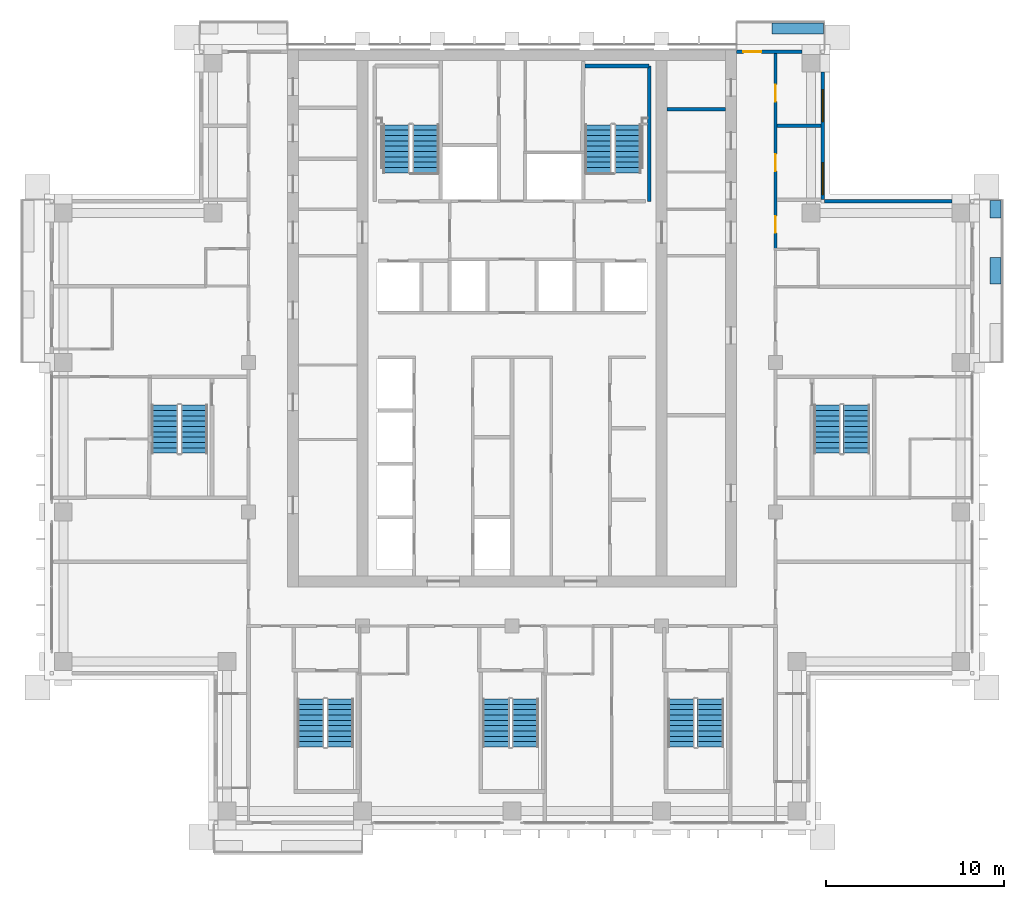
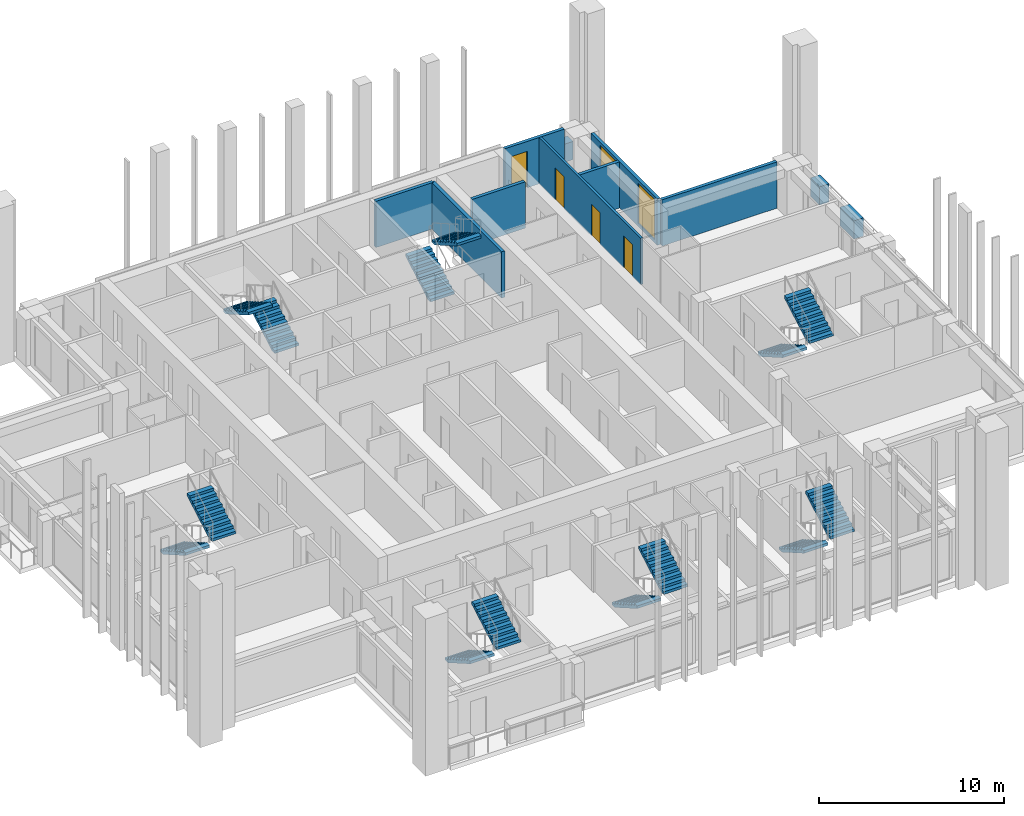
# One storey, part 13 of 17: 14 stair flights, 11 walls, 4 doors, 2 windows, 6 openings, 7 elements without a shape of their own.
"""IFC4 building model written with IfcOpenShell, lengths in metres."""

from ifc_helpers import new_model, si_unit, direction, frame, frame_2d, origin, place, context, subcontext, project, spatial, polyline, rectangle, outline, extrude, material, layer, layer_set, type_object, element, fill, aggregate, save


model = new_model("IFC4")

# Units and contexts
model_context = context("Model", 3, precision=1e-05, world=origin(), true_north=direction((0.0, 1.0)))
body_context = subcontext(model_context, "Body", "Model", "MODEL_VIEW")
ifc_project = project(units=[si_unit("LENGTHUNIT", "METRE"), si_unit("AREAUNIT", "SQUARE_METRE"), si_unit("VOLUMEUNIT", "CUBIC_METRE"), si_unit("PLANEANGLEUNIT", "RADIAN"), si_unit("MASSUNIT", "GRAM", prefix="KILO")], contexts=[model_context])

# Site, building, storey
site_placement = place(None, origin())
site = spatial("IfcSite", under=ifc_project, at=site_placement, CompositionType="ELEMENT")
building_placement = place(site_placement, origin())
building = spatial("IfcBuilding", under=site, at=building_placement, Name="Vermilion Ogive Tower", CompositionType="ELEMENT")
storey_placement = place(building_placement, frame((0.0, 0.0, 175.550048828125)))
storey = spatial("IfcBuildingStorey", under=building, at=storey_placement, Name="L45", CompositionType="ELEMENT", Elevation=175.550048828125)

# Wall, openings, doors
ifc_material_1 = material(Name="Gypsum board partition on steel studs", Category="steel")
ifc_layer_1 = layer(ifc_material_1, 0.14990234375)
ifc_layer_set_1 = layer_set([ifc_layer_1], Name="Partition 150 corridor")
wall_type_1 = type_object("IfcWallType", Name="Partition 150 corridor", PredefinedType="PARTITIONING", material=ifc_layer_set_1)
wall_1_placement = place(storey_placement, frame((14.800048828125, 10.60009765625, 0.0), z_axis=(0.0, 0.0, 1.0), x_axis=(0.0, 1.0, 0.0)))
wall_1 = element("IfcWall", 1, at=wall_1_placement, inside=storey, type_object=wall_type_1, Name="L45-W-W074", PredefinedType="PARTITIONING", context=body_context, shape_type="SweptSolid", body=[
    extrude(rectangle(XDim=10.949951171875, YDim=0.14990234375, at=frame_2d((5.47509765625, 0.0))), origin(), (0.0, 0.0, 1.0), 3.050048828125),
])
opening_1_placement = place(wall_1_placement, frame((0.875, 0.0, 0.0)))
opening_1 = element("IfcOpeningElement", 2, at=opening_1_placement, cuts=wall_1, Name="Opening D4G1023", PredefinedType="OPENING", context=body_context, shape_type="SweptSolid", body=[
    extrude(rectangle(XDim=0.949951171875, YDim=2.10009765625, at=frame_2d((0.47509765625, 1.050048828125))), frame((0.0, 0.0849609375, 0.0), z_axis=(0.0, -1.0, 0.0), x_axis=(1.0, 0.0, 0.0)), (0.0, 0.0, 1.0), 0.169921875),
])
opening_2_placement = place(wall_1_placement, frame((4.349853515625, 0.0, 0.0)))
opening_2 = element("IfcOpeningElement", 3, at=opening_2_placement, cuts=wall_1, Name="Opening D4G1025", PredefinedType="OPENING", context=body_context, shape_type="SweptSolid", body=[
    extrude(rectangle(XDim=0.949951171875, YDim=2.10009765625, at=frame_2d((0.47509765625, 1.050048828125))), frame((0.0, 0.0849609375, 0.0), z_axis=(0.0, -1.0, 0.0), x_axis=(1.0, 0.0, 0.0)), (0.0, 0.0, 1.0), 0.169921875),
])
opening_3_placement = place(wall_1_placement, frame((8.25, 0.0, 0.0)))
opening_3 = element("IfcOpeningElement", 4, at=opening_3_placement, cuts=wall_1, Name="Opening D4G1026", PredefinedType="OPENING", context=body_context, shape_type="SweptSolid", body=[
    extrude(rectangle(XDim=0.949951171875, YDim=2.10009765625, at=frame_2d((0.47509765625, 1.050048828125))), frame((0.0, 0.0849609375, 0.0), z_axis=(0.0, -1.0, 0.0), x_axis=(1.0, 0.0, 0.0)), (0.0, 0.0, 1.0), 0.169921875),
])
ifc_material_2 = material(Name="Timber door leaf", Category="wood")
door_type_1 = type_object("IfcDoorType", Name="Unit door 950 x 2100 FD30S", OperationType="SINGLE_SWING_LEFT", PredefinedType="DOOR", material=ifc_material_2)
door_1_placement = place(opening_1_placement, origin())
door_1 = element("IfcDoor", 5, at=door_1_placement, inside=storey, type_object=door_type_1, Name="L45-D-D023", OperationType="SINGLE_SWING_RIGHT", OverallHeight=2.10009765625, OverallWidth=0.949951171875, PredefinedType="DOOR", context=body_context, shape_type="SweptSolid", body=[
    extrude(rectangle(XDim=0.949951171875, YDim=2.10009765625, at=frame_2d((0.47509765625, 1.050048828125))), frame((0.0, 0.02490234375, 0.0), z_axis=(0.0, -1.0, 0.0), x_axis=(1.0, 0.0, 0.0)), (0.0, 0.0, 1.0), 0.050048828125),
])
fill(opening_1, door_1)
door_2_placement = place(opening_2_placement, origin())
door_2 = element("IfcDoor", 6, at=door_2_placement, inside=storey, type_object=door_type_1, Name="L45-D-D025", OperationType="SINGLE_SWING_RIGHT", OverallHeight=2.10009765625, OverallWidth=0.949951171875, PredefinedType="DOOR", context=body_context, shape_type="SweptSolid", body=[
    extrude(rectangle(XDim=0.949951171875, YDim=2.10009765625, at=frame_2d((0.47509765625, 1.050048828125))), frame((0.0, 0.02490234375, 0.0), z_axis=(0.0, -1.0, 0.0), x_axis=(1.0, 0.0, 0.0)), (0.0, 0.0, 1.0), 0.050048828125),
])
fill(opening_2, door_2)
door_3_placement = place(opening_3_placement, origin())
door_3 = element("IfcDoor", 7, at=door_3_placement, inside=storey, type_object=door_type_1, Name="L45-D-D026", OperationType="SINGLE_SWING_LEFT", OverallHeight=2.10009765625, OverallWidth=0.949951171875, PredefinedType="DOOR", context=body_context, shape_type="SweptSolid", body=[
    extrude(rectangle(XDim=0.949951171875, YDim=2.10009765625, at=frame_2d((0.47509765625, 1.050048828125))), frame((0.0, 0.02490234375, 0.0), z_axis=(0.0, -1.0, 0.0), x_axis=(1.0, 0.0, 0.0)), (0.0, 0.0, 1.0), 0.050048828125),
])
fill(opening_3, door_3)

# Walls
ifc_material_3 = material(Name="Gypsum board partition on steel studs", Category="steel")
ifc_layer_2 = layer(ifc_material_3, 0.199951171875)
ifc_layer_set_2 = layer_set([ifc_layer_2], Name="Partition 200 party")
wall_type_2 = type_object("IfcWallType", Name="Partition 200 party", PredefinedType="PARTITIONING", material=ifc_layer_set_2)
wall_2_placement = place(storey_placement, frame((14.875, 17.5, 0.0), z_axis=(0.0, 0.0, 1.0), x_axis=(1.0, 0.0, 0.0)))
element("IfcWall", 8, at=wall_2_placement, inside=storey, type_object=wall_type_2, Name="L45-W-W041", PredefinedType="PARTITIONING", context=body_context, shape_type="SweptSolid", body=[
    extrude(rectangle(XDim=2.47509765625, YDim=0.199951171875, at=frame_2d((1.237548828125, 0.0))), origin(), (0.0, 0.0, 1.0), 3.050048828125),
])
wall_3_placement = place(storey_placement, frame((8.700927734375, 18.410888671875, 0.0), z_axis=(0.0, 0.0, 1.0), x_axis=(1.0, 0.0, 0.0)))
element("IfcWall", 9, at=wall_3_placement, inside=storey, type_object=wall_type_2, Name="L45-CKE-W-W005", PredefinedType="PARTITIONING", context=body_context, shape_type="SweptSolid", body=[
    extrude(rectangle(XDim=3.298095703125, YDim=0.199951171875, at=frame_2d((1.64892578125, 0.0))), origin(), (0.0, 0.0, 1.0), 3.050048828125),
])
ifc_material_4 = material(Name="Concrete B60", Category="concrete")
ifc_layer_3 = layer(ifc_material_4, 0.199951171875)
ifc_layer_set_3 = layer_set([ifc_layer_3], Name="Stair shaft wall 200 Concrete B60")
wall_type_3 = type_object("IfcWallType", Name="Stair shaft wall 200 Concrete B60", PredefinedType="SOLIDWALL", material=ifc_layer_set_3)
wall_4_placement = place(storey_placement, frame((7.699951171875, 13.25, 0.0), z_axis=(0.0, 0.0, 1.0), x_axis=(0.0, 1.0, 0.0)))
element("IfcWall", 10, at=wall_4_placement, inside=storey, type_object=wall_type_3, Name="L45-SW-R021-E1", PredefinedType="SOLIDWALL", context=body_context, shape_type="SweptSolid", body=[
    extrude(rectangle(XDim=7.60009765625, YDim=0.199951171875, at=frame_2d((3.800048828125, 0.0))), origin(), (0.0, 0.0, 1.0), 3.050048828125),
])
wall_5_placement = place(storey_placement, frame((4.10009765625, 20.85009765625, 0.0), z_axis=(0.0, 0.0, 1.0), x_axis=(1.0, 0.0, 0.0)))
element("IfcWall", 11, at=wall_5_placement, inside=storey, type_object=wall_type_3, Name="L45-SW-R021-N1", PredefinedType="SOLIDWALL", context=body_context, shape_type="SweptSolid", body=[
    extrude(rectangle(XDim=3.599853515625, YDim=0.199951171875, at=frame_2d((1.7998046875, 0.0))), origin(), (0.0, 0.0, 1.0), 3.050048828125),
])
ifc_material_5 = material(Name="Concrete B40", Category="concrete")
ifc_layer_4 = layer(ifc_material_5, 0.60009765625)
ifc_layer_set_4 = layer_set([ifc_layer_4], Name="Structural planter")
wall_type_4 = type_object("IfcWallType", Name="Structural planter", PredefinedType="USERDEFINED", material=ifc_layer_set_4)
wall_6_placement = place(storey_placement, frame((27.154052734375, 8.60009765625, -0.0400390625), z_axis=(0.0, 0.0, 1.0), x_axis=(0.0, 1.0, 0.0)))
element("IfcWall", 12, at=wall_6_placement, inside=storey, type_object=wall_type_4, Name="Planter E03A2", ObjectType="PLANTER", PredefinedType="USERDEFINED", context=body_context, shape_type="SweptSolid", body=[
    extrude(rectangle(XDim=1.5, YDim=0.60009765625, at=frame_2d((0.75, 0.0))), origin(), (0.0, 0.0, 1.0), 1.199951171875),
])
wall_7_placement = place(storey_placement, frame((27.154052734375, 12.300048828125, -0.0400390625), z_axis=(0.0, 0.0, 1.0), x_axis=(0.0, 1.0, 0.0)))
element("IfcWall", 13, at=wall_7_placement, inside=storey, type_object=wall_type_4, Name="Planter E03A3", ObjectType="PLANTER", PredefinedType="USERDEFINED", context=body_context, shape_type="SweptSolid", body=[
    extrude(rectangle(XDim=0.989990234375, YDim=0.60009765625, at=frame_2d((0.4951171875, 0.0))), origin(), (0.0, 0.0, 1.0), 1.199951171875),
])
wall_8_placement = place(storey_placement, frame((17.489990234375, 22.9541015625, -0.0400390625), z_axis=(0.0, 0.0, 1.0), x_axis=(-1.0, 0.0, 0.0)))
element("IfcWall", 14, at=wall_8_placement, inside=storey, type_object=wall_type_4, Name="Planter N101A1", ObjectType="PLANTER", PredefinedType="USERDEFINED", context=body_context, shape_type="SweptSolid", body=[
    extrude(rectangle(XDim=2.889892578125, YDim=0.60009765625, at=frame_2d((1.44482421875, 0.0))), origin(), (0.0, 0.0, 1.0), 1.199951171875),
])
ifc_material_6 = material(Name="Aluminium window wall framing", Category="aluminium")
ifc_layer_5 = layer(ifc_material_6, 0.199951171875)
ifc_layer_set_5 = layer_set([ifc_layer_5], Name="Window wall")
wall_type_5 = type_object("IfcWallType", Name="Window wall", PredefinedType="STANDARD", material=ifc_layer_set_5)
wall_9_placement = place(storey_placement, frame((24.699951171875, 13.25, 0.0), z_axis=(0.0, 0.0, 1.0), x_axis=(-1.0, 0.0, 0.0)))
element("IfcWall", 15, at=wall_9_placement, inside=storey, type_object=wall_type_5, Name="Window wall X31", PredefinedType="STANDARD", context=body_context, shape_type="SweptSolid", body=[
    extrude(rectangle(XDim=7.14990234375, YDim=0.199951171875, at=frame_2d((3.574951171875, 0.0))), origin(), (0.0, 0.0, 1.0), 3.050048828125),
])

# Wall, openings, windows
wall_10_placement = place(storey_placement, frame((17.449951171875, 13.35009765625, 0.0), z_axis=(0.0, 0.0, 1.0), x_axis=(0.0, 1.0, 0.0)))
wall_10 = element("IfcWall", 16, at=wall_10_placement, inside=storey, type_object=wall_type_5, Name="Window wall X41", PredefinedType="STANDARD", context=body_context, shape_type="SweptSolid", body=[
    extrude(rectangle(XDim=7.14990234375, YDim=0.199951171875, at=frame_2d((3.574951171875, 0.0))), origin(), (0.0, 0.0, 1.0), 3.050048828125),
])
opening_4_placement = place(wall_10_placement, frame((0.27490234375, 0.0, 0.199951171875)))
opening_4 = element("IfcOpeningElement", 17, at=opening_4_placement, cuts=wall_10, Name="Opening W1-X403", PredefinedType="OPENING", context=body_context, shape_type="SweptSolid", body=[
    extrude(rectangle(XDim=1.800048828125, YDim=2.64990234375, at=frame_2d((0.89990234375, 1.324951171875))), frame((0.0, 0.10986328125, 0.0), z_axis=(0.0, -1.0, 0.0), x_axis=(1.0, 0.0, 0.0)), (0.0, 0.0, 1.0), 0.219970703125),
])
opening_5_placement = place(wall_10_placement, frame((4.3701171875, 0.0, 0.199951171875)))
opening_5 = element("IfcOpeningElement", 18, at=opening_5_placement, cuts=wall_10, Name="Opening W1-X404", PredefinedType="OPENING", context=body_context, shape_type="SweptSolid", body=[
    extrude(rectangle(XDim=1.800048828125, YDim=2.64990234375, at=frame_2d((0.89990234375, 1.324951171875))), frame((0.0, 0.10986328125, 0.0), z_axis=(0.0, -1.0, 0.0), x_axis=(1.0, 0.0, 0.0)), (0.0, 0.0, 1.0), 0.219970703125),
])
ifc_material_7 = material(Name="Aluminium framed double glazing", Category="aluminium")
window_type = type_object("IfcWindowType", Name="Guest window W1", PartitioningType="SINGLE_PANEL", PredefinedType="WINDOW", material=ifc_material_7)
window_1_placement = place(opening_4_placement, origin())
window_1 = element("IfcWindow", 19, at=window_1_placement, inside=storey, type_object=window_type, Name="Window X403", OverallHeight=2.64990234375, OverallWidth=1.800048828125, PartitioningType="SINGLE_PANEL", PredefinedType="WINDOW", context=body_context, shape_type="SweptSolid", body=[
    extrude(rectangle(XDim=1.800048828125, YDim=2.64990234375, at=frame_2d((0.89990234375, 1.324951171875))), frame((0.0, 0.030029296875, 0.0), z_axis=(0.0, -1.0, 0.0), x_axis=(1.0, 0.0, 0.0)), (0.0, 0.0, 1.0), 0.06005859375),
])
fill(opening_4, window_1)
window_2_placement = place(opening_5_placement, origin())
window_2 = element("IfcWindow", 20, at=window_2_placement, inside=storey, type_object=window_type, Name="Window X404", OverallHeight=2.64990234375, OverallWidth=1.800048828125, PartitioningType="SINGLE_PANEL", PredefinedType="WINDOW", context=body_context, shape_type="SweptSolid", body=[
    extrude(rectangle(XDim=1.800048828125, YDim=2.64990234375, at=frame_2d((0.89990234375, 1.324951171875))), frame((0.0, 0.030029296875, 0.0), z_axis=(0.0, -1.0, 0.0), x_axis=(1.0, 0.0, 0.0)), (0.0, 0.0, 1.0), 0.06005859375),
])
fill(opening_5, window_2)

# Wall, opening, door
wall_11_placement = place(storey_placement, frame((16.300048828125, 21.64990234375, 0.0), z_axis=(0.0, 0.0, 1.0), x_axis=(-1.0, 0.0, 0.0)))
wall_11 = element("IfcWall", 21, at=wall_11_placement, inside=storey, type_object=wall_type_5, Name="Window wall N11", PredefinedType="STANDARD", context=body_context, shape_type="SweptSolid", body=[
    extrude(rectangle(XDim=3.699951171875, YDim=0.199951171875, at=frame_2d((1.85009765625, 0.0))), origin(), (0.0, 0.0, 1.0), 3.050048828125),
])
opening_6_placement = place(wall_11_placement, frame((2.300048828125, 0.0, 0.0)))
opening_6 = element("IfcOpeningElement", 22, at=opening_6_placement, cuts=wall_11, Name="Opening D1-N103", PredefinedType="OPENING", context=body_context, shape_type="SweptSolid", body=[
    extrude(rectangle(XDim=1.0, YDim=2.39990234375, at=frame_2d((0.5, 1.199951171875))), frame((0.0, 0.10986328125, 0.0), z_axis=(0.0, -1.0, 0.0), x_axis=(1.0, 0.0, 0.0)), (0.0, 0.0, 1.0), 0.219970703125),
])
ifc_material_8 = material(Name="Aluminium framed glazed door", Category="aluminium")
door_type_2 = type_object("IfcDoorType", Name="Balcony door D1", OperationType="SINGLE_SWING_LEFT", PredefinedType="DOOR", material=ifc_material_8)
door_4_placement = place(opening_6_placement, origin())
door_4 = element("IfcDoor", 23, at=door_4_placement, inside=storey, type_object=door_type_2, Name="Balcony door N103", OperationType="SINGLE_SWING_LEFT", OverallHeight=2.39990234375, OverallWidth=1.0, PredefinedType="DOOR", context=body_context, shape_type="SweptSolid", body=[
    extrude(rectangle(XDim=1.0, YDim=2.39990234375, at=frame_2d((0.5, 1.199951171875))), frame((0.0, 0.02490234375, 0.0), z_axis=(0.0, -1.0, 0.0), x_axis=(1.0, 0.0, 0.0)), (0.0, 0.0, 1.0), 0.050048828125),
])
fill(opening_6, door_4)

# Stair, stair flights
ifc_material_9 = material(Name="Concrete B40", Category="concrete")
stair_type = type_object("IfcStairType", Name="Exit stair 1500", PredefinedType="HALF_TURN_STAIR", material=ifc_material_9)
stair_1_placement = place(storey_placement, origin())
stair_1 = element("IfcStair", 24, at=stair_1_placement, inside=storey, type_object=stair_type, Name="L45 Exit Stair ST1", PredefinedType="HALF_TURN_STAIR")
ifc_material_10 = material(Name="Concrete B40", Category="concrete")
stair_flight_type = type_object("IfcStairFlightType", Name="Stair flight 1500", PredefinedType="STRAIGHT", material=ifc_material_10)
stair_flight_1_placement = place(storey_placement, frame((-4.85009765625, 14.85009765625, 0.0), z_axis=(0.0, 0.0, 1.0), x_axis=(0.0, 1.0, 0.0)))
stair_flight_1 = element("IfcStairFlight", 25, at=stair_flight_1_placement, type_object=stair_flight_type, Name="ST1 flight 1", NumberOfRisers=10, NumberOfTreads=9, PredefinedType="STRAIGHT", RiserHeight=0.1725, TreadLength=0.3, context=body_context, shape_type="SweptSolid", body=[
    extrude(outline(polyline([(0.0, 0.0), (0.0, 0.172607421875), (0.300048828125, 0.172607421875), (0.300048828125, 0.344970703125), (0.60009765625, 0.344970703125), (0.60009765625, 0.517578125), (0.89990234375, 0.517578125), (0.89990234375, 0.68994140625), (1.199951171875, 0.68994140625), (1.199951171875, 0.862548828125), (1.5, 0.862548828125), (1.5, 1.034912109375), (1.800048828125, 1.034912109375), (1.800048828125, 1.20751953125), (2.10009765625, 1.20751953125), (2.10009765625, 1.3798828125), (2.39990234375, 1.3798828125), (2.39990234375, 1.552490234375), (2.699951171875, 1.552490234375), (2.699951171875, 1.72509765625), (2.699951171875, 1.379638671875), (0.30078125, 0.0), (0.0, 0.0)])), frame((0.0, 0.75, 0.0), z_axis=(0.0, -1.0, 0.0), x_axis=(1.0, 0.0, 0.0)), (0.0, 0.0, 1.0), 1.5),
])
stair_flight_2_placement = place(storey_placement, frame((-6.5, 17.550048828125, 1.724853515625), z_axis=(0.0, 0.0, 1.0), x_axis=(0.0, -1.0, 0.0)))
stair_flight_2 = element("IfcStairFlight", 26, at=stair_flight_2_placement, type_object=stair_flight_type, Name="ST1 flight 2", NumberOfRisers=10, NumberOfTreads=9, PredefinedType="STRAIGHT", RiserHeight=0.1725, TreadLength=0.3, context=body_context, shape_type="SweptSolid", body=[
    extrude(outline(polyline([(0.0, 0.0), (0.0, 0.172607421875), (0.300048828125, 0.172607421875), (0.300048828125, 0.344970703125), (0.60009765625, 0.344970703125), (0.60009765625, 0.517578125), (0.89990234375, 0.517578125), (0.89990234375, 0.68994140625), (1.199951171875, 0.68994140625), (1.199951171875, 0.862548828125), (1.5, 0.862548828125), (1.5, 1.034912109375), (1.800048828125, 1.034912109375), (1.800048828125, 1.20751953125), (2.10009765625, 1.20751953125), (2.10009765625, 1.3798828125), (2.39990234375, 1.3798828125), (2.39990234375, 1.552490234375), (2.699951171875, 1.552490234375), (2.699951171875, 1.72509765625), (2.699951171875, 1.379638671875), (0.30078125, 0.0), (0.0, 0.0)])), frame((0.0, 0.75, 0.0), z_axis=(0.0, -1.0, 0.0), x_axis=(1.0, 0.0, 0.0)), (0.0, 0.0, 1.0), 1.5),
])
aggregate(stair_1, [stair_flight_1, stair_flight_2])

stair_2_placement = place(storey_placement, origin())
stair_2 = element("IfcStair", 27, at=stair_2_placement, inside=storey, type_object=stair_type, Name="L45 Exit Stair ST2", PredefinedType="HALF_TURN_STAIR")
stair_flight_3_placement = place(storey_placement, frame((4.85009765625, 14.85009765625, 0.0), z_axis=(0.0, 0.0, 1.0), x_axis=(0.0, 1.0, 0.0)))
stair_flight_3 = element("IfcStairFlight", 28, at=stair_flight_3_placement, type_object=stair_flight_type, Name="ST2 flight 1", NumberOfRisers=10, NumberOfTreads=9, PredefinedType="STRAIGHT", RiserHeight=0.1725, TreadLength=0.3, context=body_context, shape_type="SweptSolid", body=[
    extrude(outline(polyline([(0.0, 0.0), (0.0, 0.172607421875), (0.300048828125, 0.172607421875), (0.300048828125, 0.344970703125), (0.60009765625, 0.344970703125), (0.60009765625, 0.517578125), (0.89990234375, 0.517578125), (0.89990234375, 0.68994140625), (1.199951171875, 0.68994140625), (1.199951171875, 0.862548828125), (1.5, 0.862548828125), (1.5, 1.034912109375), (1.800048828125, 1.034912109375), (1.800048828125, 1.20751953125), (2.10009765625, 1.20751953125), (2.10009765625, 1.3798828125), (2.39990234375, 1.3798828125), (2.39990234375, 1.552490234375), (2.699951171875, 1.552490234375), (2.699951171875, 1.72509765625), (2.699951171875, 1.379638671875), (0.30078125, 0.0), (0.0, 0.0)])), frame((0.0, 0.75, 0.0), z_axis=(0.0, -1.0, 0.0), x_axis=(1.0, 0.0, 0.0)), (0.0, 0.0, 1.0), 1.5),
])
stair_flight_4_placement = place(storey_placement, frame((6.5, 17.550048828125, 1.724853515625), z_axis=(0.0, 0.0, 1.0), x_axis=(0.0, -1.0, 0.0)))
stair_flight_4 = element("IfcStairFlight", 29, at=stair_flight_4_placement, type_object=stair_flight_type, Name="ST2 flight 2", NumberOfRisers=10, NumberOfTreads=9, PredefinedType="STRAIGHT", RiserHeight=0.1725, TreadLength=0.3, context=body_context, shape_type="SweptSolid", body=[
    extrude(outline(polyline([(0.0, 0.0), (0.0, 0.172607421875), (0.300048828125, 0.172607421875), (0.300048828125, 0.344970703125), (0.60009765625, 0.344970703125), (0.60009765625, 0.517578125), (0.89990234375, 0.517578125), (0.89990234375, 0.68994140625), (1.199951171875, 0.68994140625), (1.199951171875, 0.862548828125), (1.5, 0.862548828125), (1.5, 1.034912109375), (1.800048828125, 1.034912109375), (1.800048828125, 1.20751953125), (2.10009765625, 1.20751953125), (2.10009765625, 1.3798828125), (2.39990234375, 1.3798828125), (2.39990234375, 1.552490234375), (2.699951171875, 1.552490234375), (2.699951171875, 1.72509765625), (2.699951171875, 1.379638671875), (0.30078125, 0.0), (0.0, 0.0)])), frame((0.0, 0.75, 0.0), z_axis=(0.0, -1.0, 0.0), x_axis=(1.0, 0.0, 0.0)), (0.0, 0.0, 1.0), 1.5),
])
aggregate(stair_2, [stair_flight_3, stair_flight_4])

stair_3_placement = place(storey_placement, origin())
stair_3 = element("IfcStair", 30, at=stair_3_placement, inside=storey, type_object=stair_type, Name="L45 Exit Stair ST3", PredefinedType="HALF_TURN_STAIR")
stair_flight_5_placement = place(storey_placement, frame((-11.300048828125, -14.699951171875, 0.0), z_axis=(0.0, 0.0, 1.0), x_axis=(0.0, -1.0, 0.0)))
stair_flight_5 = element("IfcStairFlight", 31, at=stair_flight_5_placement, type_object=stair_flight_type, Name="ST3 flight 1", NumberOfRisers=10, NumberOfTreads=9, PredefinedType="STRAIGHT", RiserHeight=0.1725, TreadLength=0.3, context=body_context, shape_type="SweptSolid", body=[
    extrude(outline(polyline([(0.0, 0.0), (0.0, 0.172607421875), (0.300048828125, 0.172607421875), (0.300048828125, 0.344970703125), (0.60009765625, 0.344970703125), (0.60009765625, 0.517578125), (0.89990234375, 0.517578125), (0.89990234375, 0.68994140625), (1.199951171875, 0.68994140625), (1.199951171875, 0.862548828125), (1.5, 0.862548828125), (1.5, 1.034912109375), (1.800048828125, 1.034912109375), (1.800048828125, 1.20751953125), (2.10009765625, 1.20751953125), (2.10009765625, 1.3798828125), (2.39990234375, 1.3798828125), (2.39990234375, 1.552490234375), (2.699951171875, 1.552490234375), (2.699951171875, 1.72509765625), (2.699951171875, 1.379638671875), (0.30078125, 0.0), (0.0, 0.0)])), frame((0.0, 0.75, 0.0), z_axis=(0.0, -1.0, 0.0), x_axis=(1.0, 0.0, 0.0)), (0.0, 0.0, 1.0), 1.5),
])
stair_flight_6_placement = place(storey_placement, frame((-9.64990234375, -17.39990234375, 1.724853515625), z_axis=(0.0, 0.0, 1.0), x_axis=(0.0, 1.0, 0.0)))
stair_flight_6 = element("IfcStairFlight", 32, at=stair_flight_6_placement, type_object=stair_flight_type, Name="ST3 flight 2", NumberOfRisers=10, NumberOfTreads=9, PredefinedType="STRAIGHT", RiserHeight=0.1725, TreadLength=0.3, context=body_context, shape_type="SweptSolid", body=[
    extrude(outline(polyline([(0.0, 0.0), (0.0, 0.172607421875), (0.300048828125, 0.172607421875), (0.300048828125, 0.344970703125), (0.60009765625, 0.344970703125), (0.60009765625, 0.517578125), (0.89990234375, 0.517578125), (0.89990234375, 0.68994140625), (1.199951171875, 0.68994140625), (1.199951171875, 0.862548828125), (1.5, 0.862548828125), (1.5, 1.034912109375), (1.800048828125, 1.034912109375), (1.800048828125, 1.20751953125), (2.10009765625, 1.20751953125), (2.10009765625, 1.3798828125), (2.39990234375, 1.3798828125), (2.39990234375, 1.552490234375), (2.699951171875, 1.552490234375), (2.699951171875, 1.72509765625), (2.699951171875, 1.379638671875), (0.30078125, 0.0), (0.0, 0.0)])), frame((0.0, 0.75, 0.0), z_axis=(0.0, -1.0, 0.0), x_axis=(1.0, 0.0, 0.0)), (0.0, 0.0, 1.0), 1.5),
])
aggregate(stair_3, [stair_flight_5, stair_flight_6])

stair_4_placement = place(storey_placement, origin())
stair_4 = element("IfcStair", 33, at=stair_4_placement, inside=storey, type_object=stair_type, Name="L45 Exit Stair ST4", PredefinedType="HALF_TURN_STAIR")
stair_flight_7_placement = place(storey_placement, frame((-0.89990234375, -14.699951171875, 0.0), z_axis=(0.0, 0.0, 1.0), x_axis=(0.0, -1.0, 0.0)))
stair_flight_7 = element("IfcStairFlight", 34, at=stair_flight_7_placement, type_object=stair_flight_type, Name="ST4 flight 1", NumberOfRisers=10, NumberOfTreads=9, PredefinedType="STRAIGHT", RiserHeight=0.1725, TreadLength=0.3, context=body_context, shape_type="SweptSolid", body=[
    extrude(outline(polyline([(0.0, 0.0), (0.0, 0.172607421875), (0.300048828125, 0.172607421875), (0.300048828125, 0.344970703125), (0.60009765625, 0.344970703125), (0.60009765625, 0.517578125), (0.89990234375, 0.517578125), (0.89990234375, 0.68994140625), (1.199951171875, 0.68994140625), (1.199951171875, 0.862548828125), (1.5, 0.862548828125), (1.5, 1.034912109375), (1.800048828125, 1.034912109375), (1.800048828125, 1.20751953125), (2.10009765625, 1.20751953125), (2.10009765625, 1.3798828125), (2.39990234375, 1.3798828125), (2.39990234375, 1.552490234375), (2.699951171875, 1.552490234375), (2.699951171875, 1.72509765625), (2.699951171875, 1.379638671875), (0.30078125, 0.0), (0.0, 0.0)])), frame((0.0, 0.75, 0.0), z_axis=(0.0, -1.0, 0.0), x_axis=(1.0, 0.0, 0.0)), (0.0, 0.0, 1.0), 1.5),
])
stair_flight_8_placement = place(storey_placement, frame((0.75, -17.39990234375, 1.724853515625), z_axis=(0.0, 0.0, 1.0), x_axis=(0.0, 1.0, 0.0)))
stair_flight_8 = element("IfcStairFlight", 35, at=stair_flight_8_placement, type_object=stair_flight_type, Name="ST4 flight 2", NumberOfRisers=10, NumberOfTreads=9, PredefinedType="STRAIGHT", RiserHeight=0.1725, TreadLength=0.3, context=body_context, shape_type="SweptSolid", body=[
    extrude(outline(polyline([(0.0, 0.0), (0.0, 0.172607421875), (0.300048828125, 0.172607421875), (0.300048828125, 0.344970703125), (0.60009765625, 0.344970703125), (0.60009765625, 0.517578125), (0.89990234375, 0.517578125), (0.89990234375, 0.68994140625), (1.199951171875, 0.68994140625), (1.199951171875, 0.862548828125), (1.5, 0.862548828125), (1.5, 1.034912109375), (1.800048828125, 1.034912109375), (1.800048828125, 1.20751953125), (2.10009765625, 1.20751953125), (2.10009765625, 1.3798828125), (2.39990234375, 1.3798828125), (2.39990234375, 1.552490234375), (2.699951171875, 1.552490234375), (2.699951171875, 1.72509765625), (2.699951171875, 1.379638671875), (0.30078125, 0.0), (0.0, 0.0)])), frame((0.0, 0.75, 0.0), z_axis=(0.0, -1.0, 0.0), x_axis=(1.0, 0.0, 0.0)), (0.0, 0.0, 1.0), 1.5),
])
aggregate(stair_4, [stair_flight_7, stair_flight_8])

stair_5_placement = place(storey_placement, origin())
stair_5 = element("IfcStair", 36, at=stair_5_placement, inside=storey, type_object=stair_type, Name="L45 Exit Stair ST5", PredefinedType="HALF_TURN_STAIR")
stair_flight_9_placement = place(storey_placement, frame((9.5, -14.699951171875, 0.0), z_axis=(0.0, 0.0, 1.0), x_axis=(0.0, -1.0, 0.0)))
stair_flight_9 = element("IfcStairFlight", 37, at=stair_flight_9_placement, type_object=stair_flight_type, Name="ST5 flight 1", NumberOfRisers=10, NumberOfTreads=9, PredefinedType="STRAIGHT", RiserHeight=0.1725, TreadLength=0.3, context=body_context, shape_type="SweptSolid", body=[
    extrude(outline(polyline([(0.0, 0.0), (0.0, 0.172607421875), (0.300048828125, 0.172607421875), (0.300048828125, 0.344970703125), (0.60009765625, 0.344970703125), (0.60009765625, 0.517578125), (0.89990234375, 0.517578125), (0.89990234375, 0.68994140625), (1.199951171875, 0.68994140625), (1.199951171875, 0.862548828125), (1.5, 0.862548828125), (1.5, 1.034912109375), (1.800048828125, 1.034912109375), (1.800048828125, 1.20751953125), (2.10009765625, 1.20751953125), (2.10009765625, 1.3798828125), (2.39990234375, 1.3798828125), (2.39990234375, 1.552490234375), (2.699951171875, 1.552490234375), (2.699951171875, 1.72509765625), (2.699951171875, 1.379638671875), (0.30078125, 0.0), (0.0, 0.0)])), frame((0.0, 0.75, 0.0), z_axis=(0.0, -1.0, 0.0), x_axis=(1.0, 0.0, 0.0)), (0.0, 0.0, 1.0), 1.5),
])
stair_flight_10_placement = place(storey_placement, frame((11.14990234375, -17.39990234375, 1.724853515625), z_axis=(0.0, 0.0, 1.0), x_axis=(0.0, 1.0, 0.0)))
stair_flight_10 = element("IfcStairFlight", 38, at=stair_flight_10_placement, type_object=stair_flight_type, Name="ST5 flight 2", NumberOfRisers=10, NumberOfTreads=9, PredefinedType="STRAIGHT", RiserHeight=0.1725, TreadLength=0.3, context=body_context, shape_type="SweptSolid", body=[
    extrude(outline(polyline([(0.0, 0.0), (0.0, 0.172607421875), (0.300048828125, 0.172607421875), (0.300048828125, 0.344970703125), (0.60009765625, 0.344970703125), (0.60009765625, 0.517578125), (0.89990234375, 0.517578125), (0.89990234375, 0.68994140625), (1.199951171875, 0.68994140625), (1.199951171875, 0.862548828125), (1.5, 0.862548828125), (1.5, 1.034912109375), (1.800048828125, 1.034912109375), (1.800048828125, 1.20751953125), (2.10009765625, 1.20751953125), (2.10009765625, 1.3798828125), (2.39990234375, 1.3798828125), (2.39990234375, 1.552490234375), (2.699951171875, 1.552490234375), (2.699951171875, 1.72509765625), (2.699951171875, 1.379638671875), (0.30078125, 0.0), (0.0, 0.0)])), frame((0.0, 0.75, 0.0), z_axis=(0.0, -1.0, 0.0), x_axis=(1.0, 0.0, 0.0)), (0.0, 0.0, 1.0), 1.5),
])
aggregate(stair_5, [stair_flight_9, stair_flight_10])

stair_6_placement = place(storey_placement, origin())
stair_6 = element("IfcStair", 39, at=stair_6_placement, inside=storey, type_object=stair_type, Name="L45 Exit Stair ST8", PredefinedType="HALF_TURN_STAIR")
stair_flight_11_placement = place(storey_placement, frame((17.699951171875, 1.800048828125, 0.0), z_axis=(0.0, 0.0, 1.0), x_axis=(0.0, -1.0, 0.0)))
stair_flight_11 = element("IfcStairFlight", 40, at=stair_flight_11_placement, type_object=stair_flight_type, Name="ST8 flight 1", NumberOfRisers=10, NumberOfTreads=9, PredefinedType="STRAIGHT", RiserHeight=0.1725, TreadLength=0.3, context=body_context, shape_type="SweptSolid", body=[
    extrude(outline(polyline([(0.0, 0.0), (0.0, 0.172607421875), (0.300048828125, 0.172607421875), (0.300048828125, 0.344970703125), (0.60009765625, 0.344970703125), (0.60009765625, 0.517578125), (0.89990234375, 0.517578125), (0.89990234375, 0.68994140625), (1.199951171875, 0.68994140625), (1.199951171875, 0.862548828125), (1.5, 0.862548828125), (1.5, 1.034912109375), (1.800048828125, 1.034912109375), (1.800048828125, 1.20751953125), (2.10009765625, 1.20751953125), (2.10009765625, 1.3798828125), (2.39990234375, 1.3798828125), (2.39990234375, 1.552490234375), (2.699951171875, 1.552490234375), (2.699951171875, 1.72509765625), (2.699951171875, 1.379638671875), (0.30078125, 0.0), (0.0, 0.0)])), frame((0.0, 0.75, 0.0), z_axis=(0.0, -1.0, 0.0), x_axis=(1.0, 0.0, 0.0)), (0.0, 0.0, 1.0), 1.5),
])
stair_flight_12_placement = place(storey_placement, frame((19.35009765625, -0.89990234375, 1.724853515625), z_axis=(0.0, 0.0, 1.0), x_axis=(0.0, 1.0, 0.0)))
stair_flight_12 = element("IfcStairFlight", 41, at=stair_flight_12_placement, type_object=stair_flight_type, Name="ST8 flight 2", NumberOfRisers=10, NumberOfTreads=9, PredefinedType="STRAIGHT", RiserHeight=0.1725, TreadLength=0.3, context=body_context, shape_type="SweptSolid", body=[
    extrude(outline(polyline([(0.0, 0.0), (0.0, 0.172607421875), (0.300048828125, 0.172607421875), (0.300048828125, 0.344970703125), (0.60009765625, 0.344970703125), (0.60009765625, 0.517578125), (0.89990234375, 0.517578125), (0.89990234375, 0.68994140625), (1.199951171875, 0.68994140625), (1.199951171875, 0.862548828125), (1.5, 0.862548828125), (1.5, 1.034912109375), (1.800048828125, 1.034912109375), (1.800048828125, 1.20751953125), (2.10009765625, 1.20751953125), (2.10009765625, 1.3798828125), (2.39990234375, 1.3798828125), (2.39990234375, 1.552490234375), (2.699951171875, 1.552490234375), (2.699951171875, 1.72509765625), (2.699951171875, 1.379638671875), (0.30078125, 0.0), (0.0, 0.0)])), frame((0.0, 0.75, 0.0), z_axis=(0.0, -1.0, 0.0), x_axis=(1.0, 0.0, 0.0)), (0.0, 0.0, 1.0), 1.5),
])
aggregate(stair_6, [stair_flight_11, stair_flight_12])

stair_7_placement = place(storey_placement, origin())
stair_7 = element("IfcStair", 42, at=stair_7_placement, inside=storey, type_object=stair_type, Name="L45 Exit Stair ST9", PredefinedType="HALF_TURN_STAIR")
stair_flight_13_placement = place(storey_placement, frame((-19.5, 1.800048828125, 0.0), z_axis=(0.0, 0.0, 1.0), x_axis=(0.0, -1.0, 0.0)))
stair_flight_13 = element("IfcStairFlight", 43, at=stair_flight_13_placement, type_object=stair_flight_type, Name="ST9 flight 1", NumberOfRisers=10, NumberOfTreads=9, PredefinedType="STRAIGHT", RiserHeight=0.1725, TreadLength=0.3, context=body_context, shape_type="SweptSolid", body=[
    extrude(outline(polyline([(0.0, 0.0), (0.0, 0.172607421875), (0.300048828125, 0.172607421875), (0.300048828125, 0.344970703125), (0.60009765625, 0.344970703125), (0.60009765625, 0.517578125), (0.89990234375, 0.517578125), (0.89990234375, 0.68994140625), (1.199951171875, 0.68994140625), (1.199951171875, 0.862548828125), (1.5, 0.862548828125), (1.5, 1.034912109375), (1.800048828125, 1.034912109375), (1.800048828125, 1.20751953125), (2.10009765625, 1.20751953125), (2.10009765625, 1.3798828125), (2.39990234375, 1.3798828125), (2.39990234375, 1.552490234375), (2.699951171875, 1.552490234375), (2.699951171875, 1.72509765625), (2.699951171875, 1.379638671875), (0.30078125, 0.0), (0.0, 0.0)])), frame((0.0, 0.75, 0.0), z_axis=(0.0, -1.0, 0.0), x_axis=(1.0, 0.0, 0.0)), (0.0, 0.0, 1.0), 1.5),
])
stair_flight_14_placement = place(storey_placement, frame((-17.85009765625, -0.89990234375, 1.724853515625), z_axis=(0.0, 0.0, 1.0), x_axis=(0.0, 1.0, 0.0)))
stair_flight_14 = element("IfcStairFlight", 44, at=stair_flight_14_placement, type_object=stair_flight_type, Name="ST9 flight 2", NumberOfRisers=10, NumberOfTreads=9, PredefinedType="STRAIGHT", RiserHeight=0.1725, TreadLength=0.3, context=body_context, shape_type="SweptSolid", body=[
    extrude(outline(polyline([(0.0, 0.0), (0.0, 0.172607421875), (0.300048828125, 0.172607421875), (0.300048828125, 0.344970703125), (0.60009765625, 0.344970703125), (0.60009765625, 0.517578125), (0.89990234375, 0.517578125), (0.89990234375, 0.68994140625), (1.199951171875, 0.68994140625), (1.199951171875, 0.862548828125), (1.5, 0.862548828125), (1.5, 1.034912109375), (1.800048828125, 1.034912109375), (1.800048828125, 1.20751953125), (2.10009765625, 1.20751953125), (2.10009765625, 1.3798828125), (2.39990234375, 1.3798828125), (2.39990234375, 1.552490234375), (2.699951171875, 1.552490234375), (2.699951171875, 1.72509765625), (2.699951171875, 1.379638671875), (0.30078125, 0.0), (0.0, 0.0)])), frame((0.0, 0.75, 0.0), z_axis=(0.0, -1.0, 0.0), x_axis=(1.0, 0.0, 0.0)), (0.0, 0.0, 1.0), 1.5),
])
aggregate(stair_7, [stair_flight_13, stair_flight_14])

save(model, "model.ifc")
